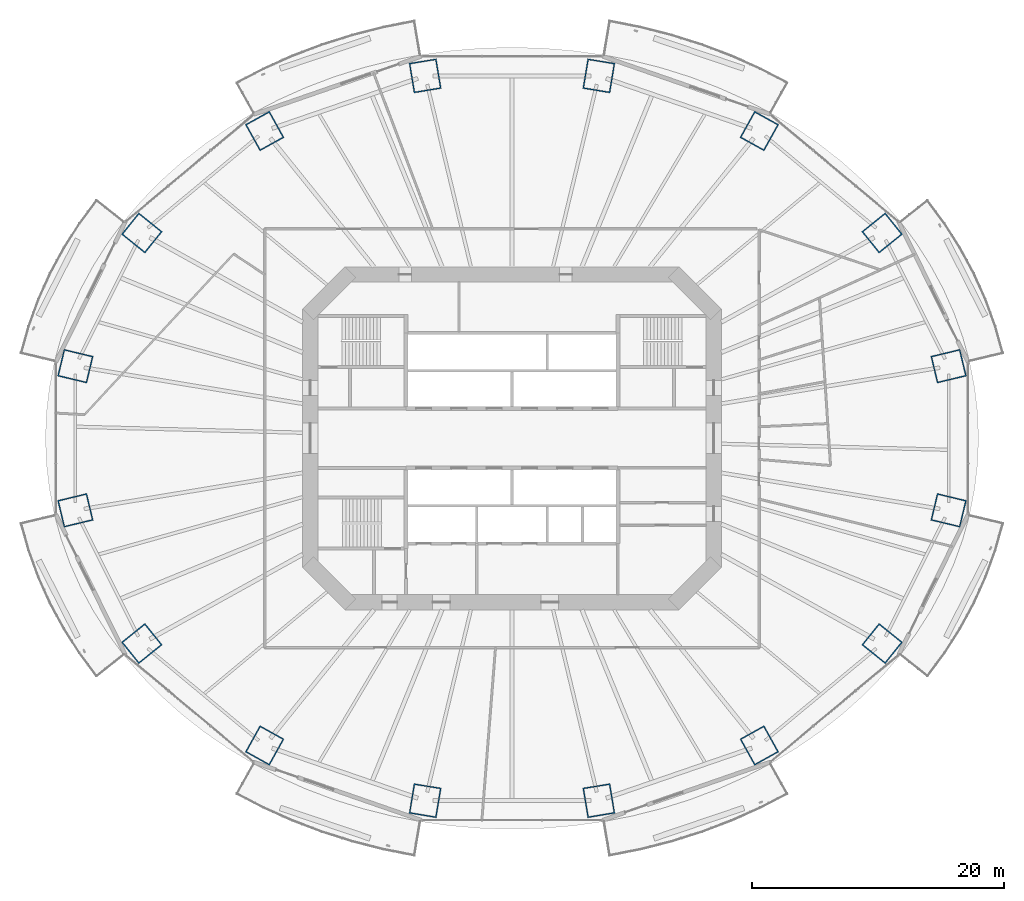
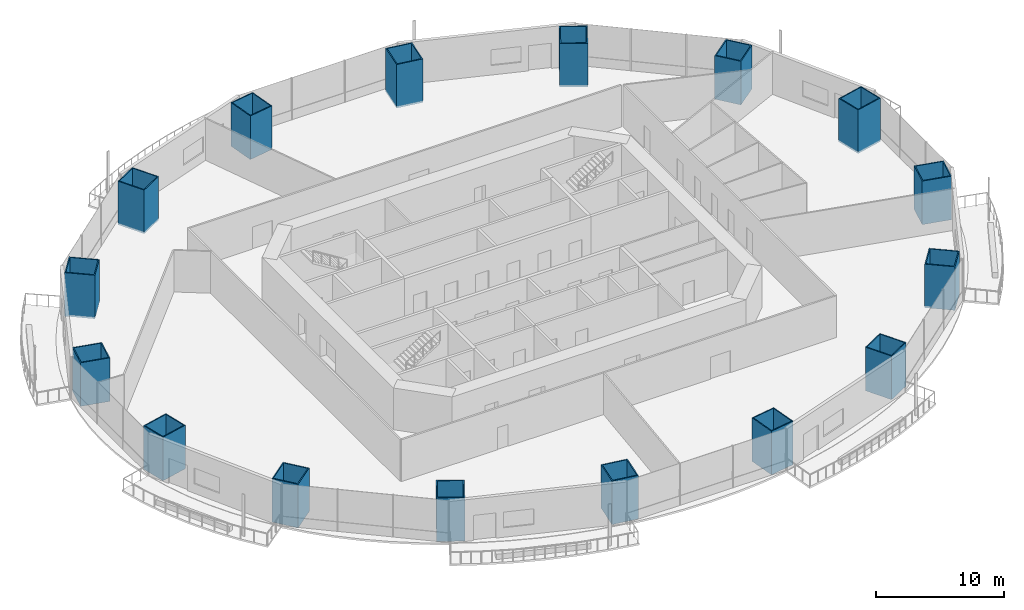
# One storey, part 1 of 23: 16 columns.
"""IFC4 building model written with IfcOpenShell, lengths in metres."""

from ifc_helpers import new_model, si_unit, direction, frame, origin, origin_2d, place, context, subcontext, project, spatial, rectangle, hollow_rectangle, extrude, material, material_profile, profile_set, type_object, element, save


model = new_model("IFC4")

# Units and contexts
model_context = context("Model", 3, precision=1e-05, world=origin(), true_north=direction((0.0, 1.0)))
body_context = subcontext(model_context, "Body", "Model", "MODEL_VIEW")
ifc_project = project(units=[si_unit("LENGTHUNIT", "METRE"), si_unit("AREAUNIT", "SQUARE_METRE"), si_unit("VOLUMEUNIT", "CUBIC_METRE"), si_unit("PLANEANGLEUNIT", "RADIAN"), si_unit("MASSUNIT", "GRAM", prefix="KILO")], contexts=[model_context])

# Site, building, storey
site_placement = place(None, origin())
site = spatial("IfcSite", under=ifc_project, at=site_placement, CompositionType="ELEMENT")
building_placement = place(site_placement, origin())
building = spatial("IfcBuilding", under=site, at=building_placement, Name="Marenthal Gate Tower", CompositionType="ELEMENT")
storey_placement = place(building_placement, frame((0.0, 0.0, 41.300048828125)))
storey = spatial("IfcBuildingStorey", under=building, at=storey_placement, Name="L06", CompositionType="ELEMENT", Elevation=41.300048828125)

# Columns
ifc_material_1 = material(Name="Steel S460", Category="steel")
ifc_material_profile_1 = material_profile(ifc_material_1, hollow_rectangle(XDim=2.199951171875, YDim=2.39990234375, WallThickness=0.090087890625, at=origin_2d()), Name="CFT BOX 2400X2200X90")
ifc_material_2 = material(Name="Concrete 70 MPa", Category="concrete")
ifc_material_profile_2 = material_profile(ifc_material_2, rectangle(XDim=2.02001953125, YDim=2.219970703125, at=origin_2d()), Name="CFT BOX 2400X2200X90 INFILL")
ifc_profile_set = profile_set([ifc_material_profile_1, ifc_material_profile_2], Name="Steel S460 shell, Concrete 70 MPa infill")
column_type = type_object("IfcColumnType", Name="CFT BOX 2400X2200X90", PredefinedType="COLUMN", material=ifc_profile_set)
for number, where, z_axis, x_axis, name in (
    (1, (34.62158203125, 5.716064453125, -0.179931640625), (0.0, 0.0, 1.0), (0.2330465244, -0.972465586777, 0.0), "COL-L06-01"),
    (2, (29.350830078125, 16.2783203125, -0.179931640625), (0.0, 0.0, 1.0), (0.627070248118, -0.778962710228, 0.0), "COL-L06-02"),
    (3, (19.611572265625, 24.362060546875, -0.179931640625), (0.0, 0.0, 1.0), (0.874508838314, -0.485009578989, 0.0), "COL-L06-03"),
    (4, (6.88671875, 28.737060546875, -0.179931640625), (0.0, 0.0, 1.0), (0.986643047777, -0.162897195412, 0.0), "COL-L06-04"),
    (5, (-6.88671875, 28.737060546875, -0.179931640625), (0.0, 0.0, 1.0), (0.986643047777, 0.162897195412, 0.0), "COL-L06-05"),
    (6, (-19.611572265625, 24.362060546875, -0.179931640625), (0.0, 0.0, 1.0), (0.874508838314, 0.485009578989, 0.0), "COL-L06-06"),
    (7, (-29.350830078125, 16.2783203125, -0.179931640625), (0.0, 0.0, 1.0), (0.627070248118, 0.778962710228, 0.0), "COL-L06-07"),
    (8, (-34.62158203125, 5.716064453125, -0.179931640625), (0.0, 0.0, 1.0), (0.2330465244, 0.972465586777, 0.0), "COL-L06-08"),
    (9, (-34.62158203125, -5.716064453125, -0.179931640625), (0.0, 0.0, 1.0), (-0.2330465244, 0.972465586777, 0.0), "COL-L06-09"),
    (10, (-29.350830078125, -16.2783203125, -0.179931640625), (0.0, 0.0, 1.0), (-0.627070248118, 0.778962710228, 0.0), "COL-L06-10"),
    (11, (-19.611572265625, -24.362060546875, -0.179931640625), (0.0, 0.0, 1.0), (-0.874508838314, 0.485009578989, 0.0), "COL-L06-11"),
    (12, (-6.88671875, -28.737060546875, -0.179931640625), (0.0, 0.0, 1.0), (-0.986643047777, 0.162897195412, 0.0), "COL-L06-12"),
    (13, (6.88671875, -28.737060546875, -0.179931640625), (0.0, 0.0, 1.0), (-0.986643047777, -0.162897195412, 0.0), "COL-L06-13"),
    (14, (19.611572265625, -24.362060546875, -0.179931640625), (0.0, 0.0, 1.0), (-0.874508838314, -0.485009578989, 0.0), "COL-L06-14"),
    (15, (29.350830078125, -16.2783203125, -0.179931640625), (0.0, 0.0, 1.0), (-0.627070248118, -0.778962710228, 0.0), "COL-L06-15"),
    (16, (34.62158203125, -5.716064453125, -0.179931640625), (0.0, 0.0, 1.0), (-0.2330465244, -0.972465586777, 0.0), "COL-L06-16"),
):
    element("IfcColumn", number, at=place(storey_placement, frame(where, z_axis=z_axis, x_axis=x_axis)), inside=storey, type_object=column_type, Name=name, PredefinedType="COLUMN", context=body_context, shape_type="SweptSolid", body=[
        extrude(hollow_rectangle(XDim=2.199951171875, YDim=2.39990234375, WallThickness=0.090087890625, at=origin_2d()), origin(), (0.0, 0.0, 1.0), 4.14990234375),
    ])

save(model, "model.ifc")
